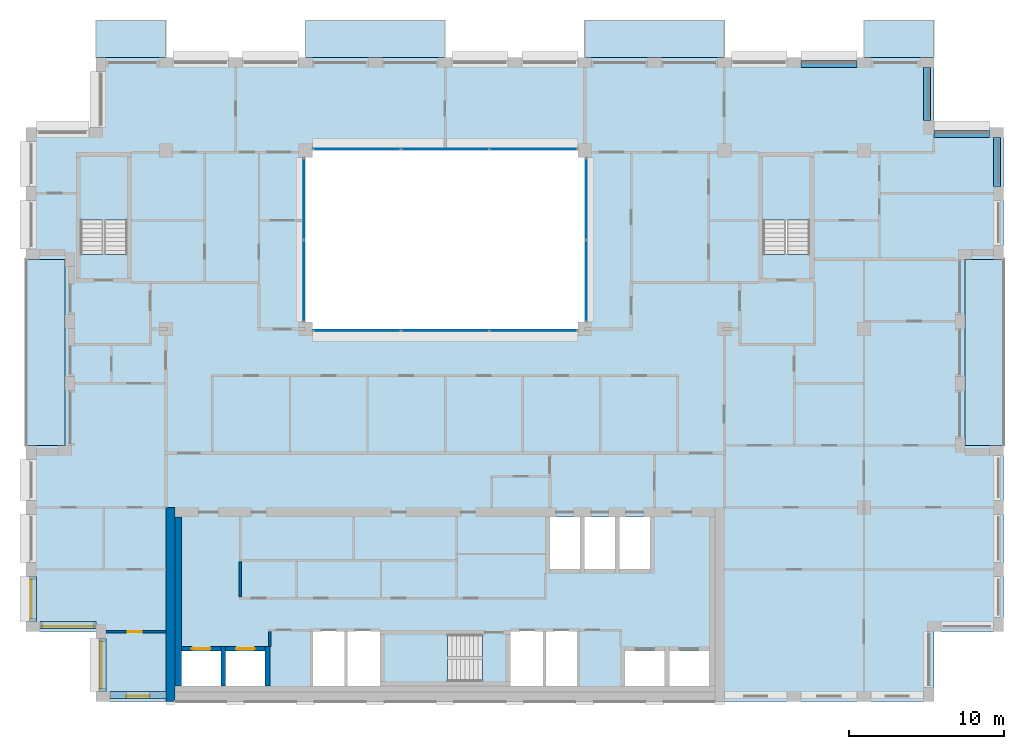
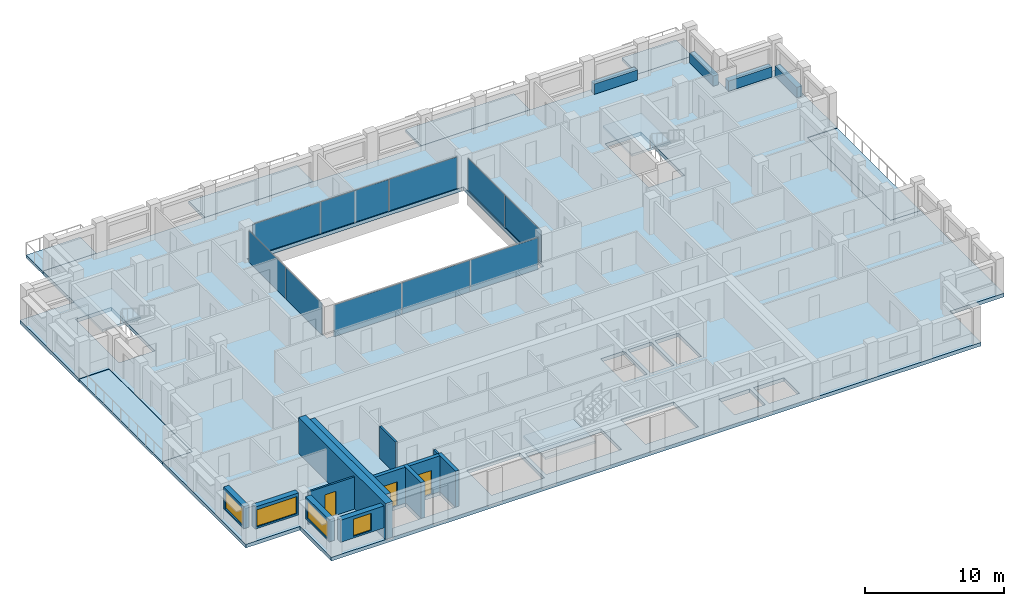
# One storey, part 7 of 15: 13 walls, 10 plates, 10 slabs, 4 beams, 4 windows, 3 doors, 7 openings, 7 elements without a shape of their own.
"""IFC4 building model written with IfcOpenShell, lengths in metres."""

from ifc_helpers import new_model, si_unit, direction, frame, frame_2d, origin, origin_2d, place, context, subcontext, project, spatial, polyline, rectangle, outline, extrude, material, layer, layer_set, material_profile, profile_set, type_object, element, fill, aggregate, save


model = new_model("IFC4")

# Units and contexts
model_context = context("Model", 3, precision=1e-05, world=origin(), true_north=direction((0.0, 1.0)))
body_context = subcontext(model_context, "Body", "Model", "MODEL_VIEW")
ifc_project = project(units=[si_unit("LENGTHUNIT", "METRE"), si_unit("AREAUNIT", "SQUARE_METRE"), si_unit("VOLUMEUNIT", "CUBIC_METRE"), si_unit("PLANEANGLEUNIT", "RADIAN"), si_unit("MASSUNIT", "GRAM", prefix="KILO")], contexts=[model_context])

# Site, building, storey
site_placement = place(None, origin())
site = spatial("IfcSite", under=ifc_project, at=site_placement, CompositionType="ELEMENT")
building_placement = place(site_placement, origin())
building = spatial("IfcBuilding", under=site, at=building_placement, Name="Brigalow Station Residences", CompositionType="ELEMENT")
storey_placement = place(building_placement, frame((0.0, 0.0, 213.75)))
storey = spatial("IfcBuildingStorey", under=building, at=storey_placement, Name="L61", CompositionType="ELEMENT", Elevation=213.75)

# Beams
ifc_material_1 = material(Name="Concrete C50", Category="concrete")
ifc_material_profile = material_profile(ifc_material_1, rectangle(XDim=0.449951171875, YDim=0.89990234375, at=origin_2d()), Name="RC450x900")
ifc_profile_set = profile_set([ifc_material_profile], Name="Concrete C50")
beam_type = type_object("IfcBeamType", Name="SPANDREL BEAM 450x900 C50", PredefinedType="SPANDREL", material=ifc_profile_set)
beam_1_placement = place(storey_placement, frame((71.574951171875, 33.199951171875, 0.449951171875), z_axis=(0.0, 1.0, 0.0), x_axis=(-1.0, 0.0, 0.0)))
element("IfcBeam", 1, at=beam_1_placement, inside=storey, type_object=beam_type, Name="L61/spandrel/W-L61-17", PredefinedType="SPANDREL", context=body_context, shape_type="SweptSolid", body=[
    extrude(rectangle(XDim=0.449951171875, YDim=0.89990234375, at=origin_2d()), origin(), (0.0, 0.0, 1.0), 3.150146484375),
])
beam_2_placement = place(storey_placement, frame((71.10009765625, 36.574951171875, 0.449951171875), z_axis=(-1.0, 0.0, 0.0), x_axis=(0.0, -1.0, 0.0)))
element("IfcBeam", 2, at=beam_2_placement, inside=storey, type_object=beam_type, Name="L61/spandrel/W-L61-18", PredefinedType="SPANDREL", context=body_context, shape_type="SweptSolid", body=[
    extrude(rectangle(XDim=0.449951171875, YDim=0.89990234375, at=origin_2d()), origin(), (0.0, 0.0, 1.0), 3.60009765625),
])
beam_3_placement = place(storey_placement, frame((67.074951171875, 37.449951171875, 0.449951171875), z_axis=(0.0, 1.0, 0.0), x_axis=(-1.0, 0.0, 0.0)))
element("IfcBeam", 3, at=beam_3_placement, inside=storey, type_object=beam_type, Name="L61/spandrel/W-L61-19", PredefinedType="SPANDREL", context=body_context, shape_type="SweptSolid", body=[
    extrude(rectangle(XDim=0.449951171875, YDim=0.89990234375, at=origin_2d()), origin(), (0.0, 0.0, 1.0), 3.400146484375),
])
beam_4_placement = place(storey_placement, frame((62.550048828125, 41.074951171875, 0.449951171875), z_axis=(-1.0, 0.0, 0.0), x_axis=(0.0, -1.0, 0.0)))
element("IfcBeam", 4, at=beam_4_placement, inside=storey, type_object=beam_type, Name="L61/spandrel/W-L61-21", PredefinedType="SPANDREL", context=body_context, shape_type="SweptSolid", body=[
    extrude(rectangle(XDim=0.449951171875, YDim=0.89990234375, at=origin_2d()), origin(), (0.0, 0.0, 1.0), 3.60009765625),
])

# Curtain wall, plates
ifc_material_2 = material(Name="Aluminium", Category="aluminium")
ifc_layer_1 = layer(ifc_material_2, 0.14990234375)
ifc_layer_set_1 = layer_set([ifc_layer_1], Name="ATRIUM FIRE-RATED GLAZING CURTAIN WALL")
curtain_wall_type = type_object("IfcCurtainWallType", Name="ATRIUM FIRE-RATED GLAZING CURTAIN WALL", PredefinedType="NOTDEFINED", material=ifc_layer_set_1)
curtain_wall_1_placement = place(storey_placement, origin())
curtain_wall_1 = element("IfcCurtainWall", 5, at=curtain_wall_1_placement, inside=storey, type_object=curtain_wall_type, Name="L61/cw/atrium-S", PredefinedType="NOTDEFINED")
ifc_material_3 = material(Name="Fire-resisting laminated glazing, FRL -/60/-", Category="glass")
ifc_layer_2 = layer(ifc_material_3, 0.031982421875)
ifc_layer_set_2 = layer_set([ifc_layer_2], Name="ATRIUM FIRE-RATED GLAZING PANEL 32")
plate_type = type_object("IfcPlateType", Name="ATRIUM FIRE-RATED GLAZING PANEL 32", PredefinedType="CURTAIN_PANEL", material=ifc_layer_set_2)
plate_1_placement = place(storey_placement, frame((30.31494140625, 23.89990234375, 0.0), z_axis=(0.0, 0.0, 1.0), x_axis=(1.0, 0.0, 0.0)))
plate_1 = element("IfcPlate", 6, at=plate_1_placement, type_object=plate_type, Name="L61/cw/atrium-S/P00-00", PredefinedType="CURTAIN_PANEL", context=body_context, shape_type="SweptSolid", body=[
    extrude(rectangle(XDim=5.610107421875, YDim=0.031982421875, at=origin_2d()), origin(), (0.0, 0.0, 1.0), 2.77001953125),
])
plate_2_placement = place(storey_placement, frame((36.0, 23.89990234375, 0.0), z_axis=(0.0, 0.0, 1.0), x_axis=(1.0, 0.0, 0.0)))
plate_2 = element("IfcPlate", 7, at=plate_2_placement, type_object=plate_type, Name="L61/cw/atrium-S/P01-00", PredefinedType="CURTAIN_PANEL", context=body_context, shape_type="SweptSolid", body=[
    extrude(rectangle(XDim=5.639892578125, YDim=0.031982421875, at=origin_2d()), origin(), (0.0, 0.0, 1.0), 2.77001953125),
])
plate_3_placement = place(storey_placement, frame((41.68505859375, 23.89990234375, 0.0), z_axis=(0.0, 0.0, 1.0), x_axis=(1.0, 0.0, 0.0)))
plate_3 = element("IfcPlate", 8, at=plate_3_placement, type_object=plate_type, Name="L61/cw/atrium-S/P02-00", PredefinedType="CURTAIN_PANEL", context=body_context, shape_type="SweptSolid", body=[
    extrude(rectangle(XDim=5.610107421875, YDim=0.031982421875, at=origin_2d()), origin(), (0.0, 0.0, 1.0), 2.77001953125),
])
aggregate(curtain_wall_1, [plate_1, plate_2, plate_3])

curtain_wall_2_placement = place(storey_placement, origin())
curtain_wall_2 = element("IfcCurtainWall", 9, at=curtain_wall_2_placement, inside=storey, type_object=curtain_wall_type, Name="L61/cw/atrium-E", PredefinedType="NOTDEFINED")
plate_4_placement = place(storey_placement, frame((45.10009765625, 27.114990234375, 0.0), z_axis=(0.0, 0.0, 1.0), x_axis=(0.0, 1.0, 0.0)))
plate_4 = element("IfcPlate", 10, at=plate_4_placement, type_object=plate_type, Name="L61/cw/atrium-E/P00-00", PredefinedType="CURTAIN_PANEL", context=body_context, shape_type="SweptSolid", body=[
    extrude(rectangle(XDim=5.2099609375, YDim=0.031982421875, at=origin_2d()), origin(), (0.0, 0.0, 1.0), 2.77001953125),
])
plate_5_placement = place(storey_placement, frame((45.10009765625, 32.385009765625, 0.0), z_axis=(0.0, 0.0, 1.0), x_axis=(0.0, 1.0, 0.0)))
plate_5 = element("IfcPlate", 11, at=plate_5_placement, type_object=plate_type, Name="L61/cw/atrium-E/P01-00", PredefinedType="CURTAIN_PANEL", context=body_context, shape_type="SweptSolid", body=[
    extrude(rectangle(XDim=5.2099609375, YDim=0.031982421875, at=origin_2d()), origin(), (0.0, 0.0, 1.0), 2.77001953125),
])
aggregate(curtain_wall_2, [plate_4, plate_5])

curtain_wall_3_placement = place(storey_placement, origin())
curtain_wall_3 = element("IfcCurtainWall", 12, at=curtain_wall_3_placement, inside=storey, type_object=curtain_wall_type, Name="L61/cw/atrium-N", PredefinedType="NOTDEFINED")
plate_6_placement = place(storey_placement, frame((41.68505859375, 35.60009765625, 0.0), z_axis=(0.0, 0.0, 1.0), x_axis=(-1.0, 0.0, 0.0)))
plate_6 = element("IfcPlate", 13, at=plate_6_placement, type_object=plate_type, Name="L61/cw/atrium-N/P00-00", PredefinedType="CURTAIN_PANEL", context=body_context, shape_type="SweptSolid", body=[
    extrude(rectangle(XDim=5.610107421875, YDim=0.031982421875, at=origin_2d()), origin(), (0.0, 0.0, 1.0), 2.77001953125),
])
plate_7_placement = place(storey_placement, frame((36.0, 35.60009765625, 0.0), z_axis=(0.0, 0.0, 1.0), x_axis=(-1.0, 0.0, 0.0)))
plate_7 = element("IfcPlate", 14, at=plate_7_placement, type_object=plate_type, Name="L61/cw/atrium-N/P01-00", PredefinedType="CURTAIN_PANEL", context=body_context, shape_type="SweptSolid", body=[
    extrude(rectangle(XDim=5.639892578125, YDim=0.031982421875, at=origin_2d()), origin(), (0.0, 0.0, 1.0), 2.77001953125),
])
plate_8_placement = place(storey_placement, frame((30.31494140625, 35.60009765625, 0.0), z_axis=(0.0, 0.0, 1.0), x_axis=(-1.0, 0.0, 0.0)))
plate_8 = element("IfcPlate", 15, at=plate_8_placement, type_object=plate_type, Name="L61/cw/atrium-N/P02-00", PredefinedType="CURTAIN_PANEL", context=body_context, shape_type="SweptSolid", body=[
    extrude(rectangle(XDim=5.610107421875, YDim=0.031982421875, at=origin_2d()), origin(), (0.0, 0.0, 1.0), 2.77001953125),
])
aggregate(curtain_wall_3, [plate_6, plate_7, plate_8])

curtain_wall_4_placement = place(storey_placement, origin())
curtain_wall_4 = element("IfcCurtainWall", 16, at=curtain_wall_4_placement, inside=storey, type_object=curtain_wall_type, Name="L61/cw/atrium-W", PredefinedType="NOTDEFINED")
plate_9_placement = place(storey_placement, frame((26.89990234375, 32.385009765625, 0.0), z_axis=(0.0, 0.0, 1.0), x_axis=(0.0, -1.0, 0.0)))
plate_9 = element("IfcPlate", 17, at=plate_9_placement, type_object=plate_type, Name="L61/cw/atrium-W/P00-00", PredefinedType="CURTAIN_PANEL", context=body_context, shape_type="SweptSolid", body=[
    extrude(rectangle(XDim=5.2099609375, YDim=0.031982421875, at=origin_2d()), origin(), (0.0, 0.0, 1.0), 2.77001953125),
])
plate_10_placement = place(storey_placement, frame((26.89990234375, 27.114990234375, 0.0), z_axis=(0.0, 0.0, 1.0), x_axis=(0.0, -1.0, 0.0)))
plate_10 = element("IfcPlate", 18, at=plate_10_placement, type_object=plate_type, Name="L61/cw/atrium-W/P01-00", PredefinedType="CURTAIN_PANEL", context=body_context, shape_type="SweptSolid", body=[
    extrude(rectangle(XDim=5.2099609375, YDim=0.031982421875, at=origin_2d()), origin(), (0.0, 0.0, 1.0), 2.77001953125),
])
aggregate(curtain_wall_4, [plate_9, plate_10])

# Slabs
ifc_material_4 = material(Name="Concrete C50 precast", Category="concrete")
ifc_layer_3 = layer(ifc_material_4, 0.25)
ifc_layer_set_3 = layer_set([ifc_layer_3], Name="BALCONY SLAB 250")
slab_type_1 = type_object("IfcSlabType", Name="BALCONY SLAB 250", PredefinedType="USERDEFINED", material=ifc_layer_set_3)
slab_1_placement = place(storey_placement, frame((0.0, 0.0, -0.2900390625)))
element("IfcSlab", 19, at=slab_1_placement, inside=storey, type_object=slab_type_1, Name="L61/balcony/1", ObjectType="BALCONY", PredefinedType="USERDEFINED", context=body_context, shape_type="SweptSolid", body=[
    extrude(outline(polyline([(69.5, 16.5), (72.0, 16.5), (72.0, 28.5), (69.5, 28.5), (69.5, 16.5)])), origin(), (0.0, 0.0, 1.0), 0.25),
])
slab_2_placement = place(storey_placement, frame((0.0, 0.0, -0.2900390625)))
element("IfcSlab", 20, at=slab_2_placement, inside=storey, type_object=slab_type_1, Name="L61/balcony/2", ObjectType="BALCONY", PredefinedType="USERDEFINED", context=body_context, shape_type="SweptSolid", body=[
    extrude(outline(polyline([(67.5, 41.5), (67.5, 43.89990234375), (63.0, 43.89990234375), (63.0, 41.5), (67.5, 41.5)])), origin(), (0.0, 0.0, 1.0), 0.25),
])
slab_3_placement = place(storey_placement, frame((0.0, 0.0, -0.2900390625)))
element("IfcSlab", 21, at=slab_3_placement, inside=storey, type_object=slab_type_1, Name="L61/balcony/3", ObjectType="BALCONY", PredefinedType="USERDEFINED", context=body_context, shape_type="SweptSolid", body=[
    extrude(outline(polyline([(54.0, 41.5), (54.0, 43.89990234375), (45.0, 43.89990234375), (45.0, 41.5), (54.0, 41.5)])), origin(), (0.0, 0.0, 1.0), 0.25),
])
slab_4_placement = place(storey_placement, frame((0.0, 0.0, -0.2900390625)))
element("IfcSlab", 22, at=slab_4_placement, inside=storey, type_object=slab_type_1, Name="L61/balcony/4", ObjectType="BALCONY", PredefinedType="USERDEFINED", context=body_context, shape_type="SweptSolid", body=[
    extrude(outline(polyline([(36.0, 41.5), (36.0, 43.89990234375), (27.0, 43.89990234375), (27.0, 41.5), (36.0, 41.5)])), origin(), (0.0, 0.0, 1.0), 0.25),
])
slab_5_placement = place(storey_placement, frame((0.0, 0.0, -0.2900390625)))
element("IfcSlab", 23, at=slab_5_placement, inside=storey, type_object=slab_type_1, Name="L61/balcony/5", ObjectType="BALCONY", PredefinedType="USERDEFINED", context=body_context, shape_type="SweptSolid", body=[
    extrude(outline(polyline([(18.0, 41.5), (18.0, 43.89990234375), (13.5, 43.89990234375), (13.5, 41.5), (18.0, 41.5)])), origin(), (0.0, 0.0, 1.0), 0.25),
])
slab_6_placement = place(storey_placement, frame((0.0, 0.0, -0.2900390625)))
element("IfcSlab", 24, at=slab_6_placement, inside=storey, type_object=slab_type_1, Name="L61/balcony/6", ObjectType="BALCONY", PredefinedType="USERDEFINED", context=body_context, shape_type="SweptSolid", body=[
    extrude(outline(polyline([(11.5, 28.5), (9.0, 28.5), (9.0, 16.5), (11.5, 16.5), (11.5, 28.5)])), origin(), (0.0, 0.0, 1.0), 0.25),
])
ifc_material_5 = material(Name="Concrete C50", Category="concrete")
ifc_layer_4 = layer(ifc_material_5, 0.320068359375)
ifc_layer_set_4 = layer_set([ifc_layer_4], Name="POST-TENSIONED FLAT PLATE 320 C50")
slab_type_2 = type_object("IfcSlabType", Name="POST-TENSIONED FLAT PLATE 320 C50", PredefinedType="FLOOR", material=ifc_layer_set_4)
slab_7_placement = place(storey_placement, frame((0.0, 0.0, -0.320068359375)))
element("IfcSlab", 25, at=slab_7_placement, inside=storey, type_object=slab_type_2, Name="FLOOR SLAB L61", PredefinedType="FLOOR", context=body_context, shape_type="SweptSolid", body=[
    extrude(outline(polyline([(13.5, 0.0), (67.5, 0.0), (67.5, 4.5), (72.0, 4.5), (72.0, 16.5), (69.5, 16.5), (69.5, 28.5), (72.0, 28.5), (72.0, 37.0), (67.5, 37.0), (67.5, 41.5), (13.5, 41.5), (13.5, 37.0), (9.0, 37.0), (9.0, 28.5), (11.5, 28.5), (11.5, 16.5), (9.0, 16.5), (9.0, 4.5), (13.5, 4.5), (13.5, 0.0)]), holes=[polyline([(12.5048828125, 35.094970703125), (15.4951171875, 35.094970703125), (15.4951171875, 28.804931640625), (12.5048828125, 28.804931640625), (12.5048828125, 35.094970703125)]), polyline([(19.0, 1.0), (19.0, 3.25), (21.550048828125, 3.25), (21.550048828125, 1.0), (19.0, 1.0)]), polyline([(21.85009765625, 3.25), (24.39990234375, 3.25), (24.39990234375, 1.0), (21.85009765625, 1.0), (21.85009765625, 3.25)]), polyline([(27.0, 35.5), (45.0, 35.5), (45.0, 24.0), (27.0, 24.0), (27.0, 35.5)]), polyline([(29.60009765625, 4.60009765625), (31.800048828125, 4.60009765625), (31.800048828125, 1.0), (29.60009765625, 1.0), (27.39990234375, 1.0), (27.39990234375, 4.60009765625), (29.60009765625, 4.60009765625)]), polyline([(32.10498046875, 4.294921875), (38.39501953125, 4.294921875), (38.39501953125, 1.304931640625), (32.10498046875, 1.304931640625), (32.10498046875, 4.294921875)]), polyline([(40.199951171875, 4.60009765625), (42.39990234375, 4.60009765625), (44.60009765625, 4.60009765625), (44.60009765625, 1.0), (42.39990234375, 1.0), (40.199951171875, 1.0), (40.199951171875, 4.60009765625)]), polyline([(42.75, 11.89990234375), (44.699951171875, 11.89990234375), (44.699951171875, 8.550048828125), (42.75, 8.550048828125), (42.75, 11.89990234375)]), polyline([(45.0, 11.89990234375), (46.949951171875, 11.89990234375), (46.949951171875, 8.550048828125), (45.0, 8.550048828125), (45.0, 11.89990234375)]), polyline([(47.25, 11.89990234375), (49.199951171875, 11.89990234375), (49.199951171875, 8.550048828125), (47.25, 8.550048828125), (47.25, 11.89990234375)]), polyline([(47.60009765625, 3.25), (50.14990234375, 3.25), (50.14990234375, 1.0), (47.60009765625, 1.0), (47.60009765625, 3.25)]), polyline([(50.449951171875, 3.25), (53.0, 3.25), (53.0, 1.0), (50.449951171875, 1.0), (50.449951171875, 3.25)]), polyline([(56.5048828125, 35.094970703125), (59.4951171875, 35.094970703125), (59.4951171875, 28.804931640625), (56.5048828125, 28.804931640625), (56.5048828125, 35.094970703125)])]), origin(), (0.0, 0.0, 1.0), 0.320068359375),
])

# Stair, slab
ifc_material_6 = material(Name="Concrete C50", Category="concrete")
stair_type = type_object("IfcStairType", Name="EXIT STAIR 1400 2 FLIGHT", PredefinedType="HALF_TURN_STAIR", material=ifc_material_6)
stair_1_placement = place(storey_placement, origin())
stair_1 = element("IfcStair", 26, at=stair_1_placement, inside=storey, type_object=stair_type, Name="EXIT STAIR S2 L61", PredefinedType="HALF_TURN_STAIR")
ifc_material_7 = material(Name="Concrete C50", Category="concrete")
ifc_layer_5 = layer(ifc_material_7, 0.199951171875)
ifc_layer_set_5 = layer_set([ifc_layer_5], Name="STAIR LANDING 200")
slab_type_3 = type_object("IfcSlabType", Name="STAIR LANDING 200", PredefinedType="LANDING", material=ifc_layer_set_5)
slab_8_placement = place(storey_placement, frame((0.0, 0.0, 1.375)))
slab_8 = element("IfcSlab", 27, at=slab_8_placement, type_object=slab_type_3, Name="ST-2 landing 1", PredefinedType="LANDING", context=body_context, shape_type="SweptSolid", body=[
    extrude(outline(polyline([(32.0, 1.199951171875), (36.159912109375, 1.199951171875), (36.159912109375, 4.39990234375), (32.0, 4.39990234375), (32.0, 1.199951171875)])), origin(), (0.0, 0.0, 1.0), 0.199951171875),
])
aggregate(stair_1, [slab_8])

stair_2_placement = place(storey_placement, origin())
stair_2 = element("IfcStair", 28, at=stair_2_placement, inside=storey, type_object=stair_type, Name="EXIT STAIR S1 L61", PredefinedType="HALF_TURN_STAIR")
slab_9_placement = place(storey_placement, frame((0.0, 0.0, 1.375)))
slab_9 = element("IfcSlab", 29, at=slab_9_placement, type_object=slab_type_3, Name="ST-1 landing 1", PredefinedType="LANDING", context=body_context, shape_type="SweptSolid", body=[
    extrude(outline(polyline([(12.39990234375, 31.0400390625), (15.60009765625, 31.0400390625), (15.60009765625, 35.199951171875), (12.39990234375, 35.199951171875), (12.39990234375, 31.0400390625)])), origin(), (0.0, 0.0, 1.0), 0.199951171875),
])
aggregate(stair_2, [slab_9])

stair_3_placement = place(storey_placement, origin())
stair_3 = element("IfcStair", 30, at=stair_3_placement, inside=storey, type_object=stair_type, Name="EXIT STAIR S3 L61", PredefinedType="HALF_TURN_STAIR")
slab_10_placement = place(storey_placement, frame((0.0, 0.0, 1.375)))
slab_10 = element("IfcSlab", 31, at=slab_10_placement, type_object=slab_type_3, Name="ST-3 landing 1", PredefinedType="LANDING", context=body_context, shape_type="SweptSolid", body=[
    extrude(outline(polyline([(56.39990234375, 31.0400390625), (59.60009765625, 31.0400390625), (59.60009765625, 35.199951171875), (56.39990234375, 35.199951171875), (56.39990234375, 31.0400390625)])), origin(), (0.0, 0.0, 1.0), 0.199951171875),
])
aggregate(stair_3, [slab_10])

# Wall, opening, window
ifc_material_8 = material(Name="Clay brick masonry", Category="masonry")
ifc_layer_6 = layer(ifc_material_8, 0.449951171875)
ifc_layer_set_6 = layer_set([ifc_layer_6], Name="BRICK INFILL WALL 450")
wall_type_1 = type_object("IfcWallType", Name="BRICK INFILL WALL 450", PredefinedType="SOLIDWALL", material=ifc_layer_set_6)
wall_1_placement = place(storey_placement, frame((14.39990234375, 0.425048828125, 0.89990234375), z_axis=(0.0, 0.0, 1.0), x_axis=(1.0, 0.0, 0.0)))
wall_1 = element("IfcWall", 32, at=wall_1_placement, inside=storey, type_object=wall_type_1, Name="L61/ewall/W-L61-1", PredefinedType="SOLIDWALL", context=body_context, shape_type="SweptSolid", body=[
    extrude(rectangle(XDim=3.60009765625, YDim=0.449951171875, at=frame_2d((1.800048828125, 0.0))), origin(), (0.0, 0.0, 1.0), 1.93017578125),
])
opening_1_placement = place(wall_1_placement, frame((1.050048828125, 0.0, 0.14990234375)))
opening_1 = element("IfcOpeningElement", 33, at=opening_1_placement, cuts=wall_1, Name="Opening WT-1", PredefinedType="OPENING", context=body_context, shape_type="SweptSolid", body=[
    extrude(rectangle(XDim=1.5, YDim=1.5, at=frame_2d((0.75, 0.75))), frame((0.0, 0.23486328125, 0.0), z_axis=(0.0, -1.0, 0.0), x_axis=(1.0, 0.0, 0.0)), (0.0, 0.0, 1.0), 0.469970703125),
])
ifc_material_9 = material(Name="Anodised aluminium frame with double glazing", Category="aluminium")
window_type_1 = type_object("IfcWindowType", Name="WINDOW 1500x1500", PartitioningType="SINGLE_PANEL", PredefinedType="WINDOW", material=ifc_material_9)
window_1_placement = place(opening_1_placement, origin())
window_1 = element("IfcWindow", 34, at=window_1_placement, inside=storey, type_object=window_type_1, Name="L61/window/W-L61-1", OverallHeight=1.5, OverallWidth=1.5, PartitioningType="SINGLE_PANEL", PredefinedType="WINDOW", context=body_context, shape_type="SweptSolid", body=[
    extrude(rectangle(XDim=1.5, YDim=1.5, at=frame_2d((0.75, 0.75))), frame((0.0, -0.06494140625, 0.0), z_axis=(0.0, -1.0, 0.0), x_axis=(1.0, 0.0, 0.0)), (0.0, 0.0, 1.0), 0.06005859375),
])
fill(opening_1, window_1)

wall_2_placement = place(storey_placement, frame((9.425048828125, 8.050048828125, 0.89990234375), z_axis=(0.0, 0.0, 1.0), x_axis=(0.0, -1.0, 0.0)))
wall_2 = element("IfcWall", 35, at=wall_2_placement, inside=storey, type_object=wall_type_1, Name="L61/ewall/W-L61-43", PredefinedType="SOLIDWALL", context=body_context, shape_type="SweptSolid", body=[
    extrude(rectangle(XDim=2.900146484375, YDim=0.449951171875, at=frame_2d((1.4501953125, 0.0))), origin(), (0.0, 0.0, 1.0), 1.93017578125),
])
opening_2_placement = place(wall_2_placement, frame((0.199951171875, 0.0, 0.14990234375)))
opening_2 = element("IfcOpeningElement", 36, at=opening_2_placement, cuts=wall_2, Name="Opening WT-5", PredefinedType="OPENING", context=body_context, shape_type="SweptSolid", body=[
    extrude(rectangle(XDim=2.5, YDim=1.5, at=frame_2d((1.25, 0.75))), frame((0.0, 0.23486328125, 0.0), z_axis=(0.0, -1.0, 0.0), x_axis=(1.0, 0.0, 0.0)), (0.0, 0.0, 1.0), 0.469970703125),
])
ifc_material_10 = material(Name="Anodised aluminium frame with double glazing", Category="aluminium")
window_type_2 = type_object("IfcWindowType", Name="WINDOW 2500x1500", PartitioningType="SINGLE_PANEL", PredefinedType="WINDOW", material=ifc_material_10)
window_2_placement = place(opening_2_placement, origin())
window_2 = element("IfcWindow", 37, at=window_2_placement, inside=storey, type_object=window_type_2, Name="L61/window/W-L61-43", OverallHeight=1.5, OverallWidth=2.5, PartitioningType="SINGLE_PANEL", PredefinedType="WINDOW", context=body_context, shape_type="SweptSolid", body=[
    extrude(rectangle(XDim=2.5, YDim=1.5, at=frame_2d((1.25, 0.75))), frame((0.0, -0.06494140625, 0.0), z_axis=(0.0, -1.0, 0.0), x_axis=(1.0, 0.0, 0.0)), (0.0, 0.0, 1.0), 0.06005859375),
])
fill(opening_2, window_2)

wall_3_placement = place(storey_placement, frame((9.89990234375, 4.925048828125, 0.89990234375), z_axis=(0.0, 0.0, 1.0), x_axis=(1.0, 0.0, 0.0)))
wall_3 = element("IfcWall", 38, at=wall_3_placement, inside=storey, type_object=wall_type_1, Name="L61/ewall/W-L61-44", PredefinedType="SOLIDWALL", context=body_context, shape_type="SweptSolid", body=[
    extrude(rectangle(XDim=3.60009765625, YDim=0.449951171875, at=frame_2d((1.800048828125, 0.0))), origin(), (0.0, 0.0, 1.0), 1.93017578125),
])
opening_3_placement = place(wall_3_placement, frame((0.14990234375, 0.0, 0.14990234375)))
opening_3 = element("IfcOpeningElement", 39, at=opening_3_placement, cuts=wall_3, Name="Opening WT-10", PredefinedType="OPENING", context=body_context, shape_type="SweptSolid", body=[
    extrude(rectangle(XDim=3.300048828125, YDim=1.5, at=frame_2d((1.64990234375, 0.75))), frame((0.0, 0.23486328125, 0.0), z_axis=(0.0, -1.0, 0.0), x_axis=(1.0, 0.0, 0.0)), (0.0, 0.0, 1.0), 0.469970703125),
])
ifc_material_11 = material(Name="Anodised aluminium frame with double glazing", Category="aluminium")
window_type_3 = type_object("IfcWindowType", Name="WINDOW 3300x1500", PartitioningType="SINGLE_PANEL", PredefinedType="WINDOW", material=ifc_material_11)
window_3_placement = place(opening_3_placement, origin())
window_3 = element("IfcWindow", 40, at=window_3_placement, inside=storey, type_object=window_type_3, Name="L61/window/W-L61-44", OverallHeight=1.5, OverallWidth=3.300048828125, PartitioningType="SINGLE_PANEL", PredefinedType="WINDOW", context=body_context, shape_type="SweptSolid", body=[
    extrude(rectangle(XDim=3.300048828125, YDim=1.5, at=frame_2d((1.64990234375, 0.75))), frame((0.0, -0.06494140625, 0.0), z_axis=(0.0, -1.0, 0.0), x_axis=(1.0, 0.0, 0.0)), (0.0, 0.0, 1.0), 0.06005859375),
])
fill(opening_3, window_3)

wall_4_placement = place(storey_placement, frame((13.925048828125, 4.050048828125, 0.89990234375), z_axis=(0.0, 0.0, 1.0), x_axis=(0.0, -1.0, 0.0)))
wall_4 = element("IfcWall", 41, at=wall_4_placement, inside=storey, type_object=wall_type_1, Name="L61/ewall/W-L61-45", PredefinedType="SOLIDWALL", context=body_context, shape_type="SweptSolid", body=[
    extrude(rectangle(XDim=3.400146484375, YDim=0.449951171875, at=frame_2d((1.7001953125, 0.0))), origin(), (0.0, 0.0, 1.0), 1.93017578125),
])
opening_4_placement = place(wall_4_placement, frame((0.199951171875, 0.0, 0.14990234375)))
opening_4 = element("IfcOpeningElement", 42, at=opening_4_placement, cuts=wall_4, Name="Opening WT-2", PredefinedType="OPENING", context=body_context, shape_type="SweptSolid", body=[
    extrude(rectangle(XDim=3.0, YDim=1.5, at=frame_2d((1.5, 0.75))), frame((0.0, 0.23486328125, 0.0), z_axis=(0.0, -1.0, 0.0), x_axis=(1.0, 0.0, 0.0)), (0.0, 0.0, 1.0), 0.469970703125),
])
ifc_material_12 = material(Name="Anodised aluminium frame with double glazing", Category="aluminium")
window_type_4 = type_object("IfcWindowType", Name="WINDOW 3000x1500", PartitioningType="SINGLE_PANEL", PredefinedType="WINDOW", material=ifc_material_12)
window_4_placement = place(opening_4_placement, origin())
window_4 = element("IfcWindow", 43, at=window_4_placement, inside=storey, type_object=window_type_4, Name="L61/window/W-L61-45", OverallHeight=1.5, OverallWidth=3.0, PartitioningType="SINGLE_PANEL", PredefinedType="WINDOW", context=body_context, shape_type="SweptSolid", body=[
    extrude(rectangle(XDim=3.0, YDim=1.5, at=frame_2d((1.5, 0.75))), frame((0.0, -0.06494140625, 0.0), z_axis=(0.0, -1.0, 0.0), x_axis=(1.0, 0.0, 0.0)), (0.0, 0.0, 1.0), 0.06005859375),
])
fill(opening_4, window_4)

# Wall, opening, door
ifc_material_13 = material(Name="Concrete C50", Category="concrete")
ifc_layer_7 = layer(ifc_material_13, 0.300048828125)
ifc_layer_set_7 = layer_set([ifc_layer_7], Name="CORE SHEAR WALL 300 C50")
wall_type_2 = type_object("IfcWallType", Name="CORE SHEAR WALL 300 C50", PredefinedType="SHEAR", material=ifc_layer_set_7)
wall_5_placement = place(storey_placement, frame((19.0, 3.39990234375, 0.0), z_axis=(0.0, 0.0, 1.0), x_axis=(1.0, 0.0, 0.0)))
wall_5 = element("IfcWall", 44, at=wall_5_placement, inside=storey, type_object=wall_type_2, Name="CORE WALL SH-C1-N L61", PredefinedType="SHEAR", context=body_context, shape_type="SweptSolid", body=[
    extrude(rectangle(XDim=2.550048828125, YDim=0.300048828125, at=frame_2d((1.27490234375, 0.0))), origin(), (0.0, 0.0, 1.0), 3.14990234375),
])
opening_5_placement = place(wall_5_placement, frame((0.675048828125, 0.0, 0.0)))
opening_5 = element("IfcOpeningElement", 45, at=opening_5_placement, cuts=wall_5, Name="Opening LD-LB1", PredefinedType="OPENING", context=body_context, shape_type="SweptSolid", body=[
    extrude(rectangle(XDim=1.199951171875, YDim=2.10009765625, at=frame_2d((0.60009765625, 1.050048828125))), frame((0.0, 0.16015625, 0.0), z_axis=(0.0, -1.0, 0.0), x_axis=(1.0, 0.0, 0.0)), (0.0, 0.0, 1.0), 0.320068359375),
])
ifc_material_14 = material(Name="Stainless steel sliding door leaves", Category="steel")
door_type_1 = type_object("IfcDoorType", Name="LIFT LANDING DOOR 1200 x 2100", OperationType="DOUBLE_DOOR_SLIDING", PredefinedType="DOOR", material=ifc_material_14)
door_1_placement = place(opening_5_placement, origin())
door_1 = element("IfcDoor", 46, at=door_1_placement, inside=storey, type_object=door_type_1, Name="LANDING DOOR LB1", OperationType="DOUBLE_DOOR_SLIDING", OverallHeight=2.10009765625, OverallWidth=1.199951171875, PredefinedType="DOOR", context=body_context, shape_type="SweptSolid", body=[
    extrude(rectangle(XDim=1.199951171875, YDim=2.10009765625, at=frame_2d((0.60009765625, 1.050048828125))), frame((0.0, 0.02490234375, 0.0), z_axis=(0.0, -1.0, 0.0), x_axis=(1.0, 0.0, 0.0)), (0.0, 0.0, 1.0), 0.050048828125),
])
fill(opening_5, door_1)

wall_6_placement = place(storey_placement, frame((21.85009765625, 3.39990234375, 0.0), z_axis=(0.0, 0.0, 1.0), x_axis=(1.0, 0.0, 0.0)))
wall_6 = element("IfcWall", 47, at=wall_6_placement, inside=storey, type_object=wall_type_2, Name="CORE WALL SH-C2-N L61", PredefinedType="SHEAR", context=body_context, shape_type="SweptSolid", body=[
    extrude(rectangle(XDim=2.5498046875, YDim=0.300048828125, at=frame_2d((1.27490234375, 0.0))), origin(), (0.0, 0.0, 1.0), 3.14990234375),
])
opening_6_placement = place(wall_6_placement, frame((0.675048828125, 0.0, 0.0)))
opening_6 = element("IfcOpeningElement", 48, at=opening_6_placement, cuts=wall_6, Name="Opening LD-LB2", PredefinedType="OPENING", context=body_context, shape_type="SweptSolid", body=[
    extrude(rectangle(XDim=1.199951171875, YDim=2.10009765625, at=frame_2d((0.60009765625, 1.050048828125))), frame((0.0, 0.16015625, 0.0), z_axis=(0.0, -1.0, 0.0), x_axis=(1.0, 0.0, 0.0)), (0.0, 0.0, 1.0), 0.320068359375),
])
door_2_placement = place(opening_6_placement, origin())
door_2 = element("IfcDoor", 49, at=door_2_placement, inside=storey, type_object=door_type_1, Name="LANDING DOOR LB2", OperationType="DOUBLE_DOOR_SLIDING", OverallHeight=2.10009765625, OverallWidth=1.199951171875, PredefinedType="DOOR", context=body_context, shape_type="SweptSolid", body=[
    extrude(rectangle(XDim=1.199951171875, YDim=2.10009765625, at=frame_2d((0.60009765625, 1.050048828125))), frame((0.0, 0.02490234375, 0.0), z_axis=(0.0, -1.0, 0.0), x_axis=(1.0, 0.0, 0.0)), (0.0, 0.0, 1.0), 0.050048828125),
])
fill(opening_6, door_2)

# Walls
for number, where, z_axis, x_axis, name in (
    (50, (21.699951171875, 1.0, 0.0), (0.0, 0.0, 1.0), (0.0, 1.0, 0.0), "CORE WALL SH-C2-W L61"),
    (51, (24.550048828125, 1.0, 0.0), (0.0, 0.0, 1.0), (0.0, 1.0, 0.0), "CORE WALL SH-C2-E L61"),
):
    element("IfcWall", number, at=place(storey_placement, frame(where, z_axis=z_axis, x_axis=x_axis)), inside=storey, type_object=wall_type_2, Name=name, PredefinedType="SHEAR", context=body_context, shape_type="SweptSolid", body=[
        extrude(rectangle(XDim=2.550048828125, YDim=0.300048828125, at=frame_2d((1.27490234375, 0.0))), origin(), (0.0, 0.0, 1.0), 3.14990234375),
    ])
ifc_material_15 = material(Name="Concrete C50", Category="concrete")
ifc_layer_8 = layer(ifc_material_15, 0.39990234375)
ifc_layer_set_8 = layer_set([ifc_layer_8], Name="CORE SHEAR WALL 400 C50")
wall_type_3 = type_object("IfcWallType", Name="CORE SHEAR WALL 400 C50", PredefinedType="SHEAR", material=ifc_layer_set_8)
wall_7_placement = place(storey_placement, frame((18.800048828125, 1.0, 0.0), z_axis=(0.0, 0.0, 1.0), x_axis=(0.0, 1.0, 0.0)))
element("IfcWall", 52, at=wall_7_placement, inside=storey, type_object=wall_type_3, Name="CORE WALL LIN-W L61", PredefinedType="SHEAR", context=body_context, shape_type="SweptSolid", body=[
    extrude(rectangle(XDim=10.89990234375, YDim=0.39990234375, at=frame_2d((5.449951171875, 0.0))), origin(), (0.0, 0.0, 1.0), 3.14990234375),
])
ifc_material_16 = material(Name="Concrete C50", Category="concrete")
ifc_layer_9 = layer(ifc_material_16, 0.60009765625)
ifc_layer_set_9 = layer_set([ifc_layer_9], Name="CORE SHEAR WALL 600 C50")
wall_type_4 = type_object("IfcWallType", Name="CORE SHEAR WALL 600 C50", PredefinedType="SHEAR", material=ifc_layer_set_9)
wall_8_placement = place(storey_placement, frame((18.300048828125, 0.0, 0.0), z_axis=(0.0, 0.0, 1.0), x_axis=(0.0, 1.0, 0.0)))
element("IfcWall", 53, at=wall_8_placement, inside=storey, type_object=wall_type_4, Name="CORE WALL OUT-W L61", PredefinedType="SHEAR", context=body_context, shape_type="SweptSolid", body=[
    extrude(rectangle(XDim=12.5, YDim=0.60009765625, at=frame_2d((6.25, 0.0))), origin(), (0.0, 0.0, 1.0), 3.14990234375),
])

# Wall, opening, door
ifc_material_17 = material(Name="Plasterboard on steel stud partition", Category="steel")
ifc_layer_10 = layer(ifc_material_17, 0.14990234375)
ifc_layer_set_10 = layer_set([ifc_layer_10], Name="FLAT PARTITION 150")
wall_type_5 = type_object("IfcWallType", Name="FLAT PARTITION 150", PredefinedType="PARTITIONING", material=ifc_layer_set_10)
wall_9_placement = place(storey_placement, frame((14.14990234375, 4.5, 0.0), z_axis=(0.0, 0.0, 1.0), x_axis=(1.0, 0.0, 0.0)))
wall_9 = element("IfcWall", 54, at=wall_9_placement, inside=storey, type_object=wall_type_5, Name="PW-4B14", PredefinedType="PARTITIONING", context=body_context, shape_type="SweptSolid", body=[
    extrude(rectangle(XDim=3.85009765625, YDim=0.14990234375, at=frame_2d((1.925048828125, 0.0))), origin(), (0.0, 0.0, 1.0), 2.830078125),
])
opening_7_placement = place(wall_9_placement, frame((1.39990234375, 0.0, 0.0)))
opening_7 = element("IfcOpeningElement", 55, at=opening_7_placement, cuts=wall_9, Name="Opening D-4B09", PredefinedType="OPENING", context=body_context, shape_type="SweptSolid", body=[
    extrude(rectangle(XDim=0.89990234375, YDim=2.10009765625, at=frame_2d((0.449951171875, 1.050048828125))), frame((0.0, 0.0849609375, 0.0), z_axis=(0.0, -1.0, 0.0), x_axis=(1.0, 0.0, 0.0)), (0.0, 0.0, 1.0), 0.169921875),
])
ifc_material_18 = material(Name="Solid-core timber door leaf", Category="wood")
door_type_2 = type_object("IfcDoorType", Name="INTERNAL DOOR 900 x 2100", OperationType="SINGLE_SWING_LEFT", PredefinedType="DOOR", material=ifc_material_18)
door_3_placement = place(opening_7_placement, frame((0.89990234375, 0.0, 0.0), z_axis=(0.0, 0.0, 1.0), x_axis=(-1.0, 0.0, 0.0)))
door_3 = element("IfcDoor", 56, at=door_3_placement, inside=storey, type_object=door_type_2, Name="D-4B09", OperationType="SINGLE_SWING_RIGHT", OverallHeight=2.10009765625, OverallWidth=0.89990234375, PredefinedType="DOOR", context=body_context, shape_type="SweptSolid", body=[
    extrude(rectangle(XDim=0.89990234375, YDim=2.10009765625, at=frame_2d((0.449951171875, 1.050048828125))), frame((0.0, 0.02490234375, 0.0), z_axis=(0.0, -1.0, 0.0), x_axis=(1.0, 0.0, 0.0)), (0.0, 0.0, 1.0), 0.050048828125),
])
fill(opening_7, door_3)

# Walls
ifc_material_19 = material(Name="Plasterboard on steel studs", Category="steel")
ifc_layer_11 = layer(ifc_material_19, 0.14990234375)
ifc_layer_set_11 = layer_set([ifc_layer_11], Name="SERVICE ROOM PARTITION 150")
wall_type_6 = type_object("IfcWallType", Name="SERVICE ROOM PARTITION 150", PredefinedType="PARTITIONING", material=ifc_layer_set_11)
wall_10_placement = place(storey_placement, frame((24.699951171875, 3.550048828125, 0.0), z_axis=(0.0, 0.0, 1.0), x_axis=(0.0, 1.0, 0.0)))
element("IfcWall", 57, at=wall_10_placement, inside=storey, type_object=wall_type_6, Name="PW-5157", PredefinedType="PARTITIONING", context=body_context, shape_type="SweptSolid", body=[
    extrude(rectangle(XDim=0.974853515625, YDim=0.14990234375, at=frame_2d((0.4873046875, 0.0))), origin(), (0.0, 0.0, 1.0), 2.830078125),
])
wall_11_placement = place(storey_placement, frame((22.800048828125, 6.72509765625, 0.0), z_axis=(0.0, 0.0, 1.0), x_axis=(0.0, 1.0, 0.0)))
element("IfcWall", 58, at=wall_11_placement, inside=storey, type_object=wall_type_6, Name="PW-5216", PredefinedType="PARTITIONING", context=body_context, shape_type="SweptSolid", body=[
    extrude(rectangle(XDim=2.309814453125, YDim=0.14990234375, at=frame_2d((1.15478515625, 0.0))), origin(), (0.0, 0.0, 1.0), 2.830078125),
])

save(model, "model.ifc")
